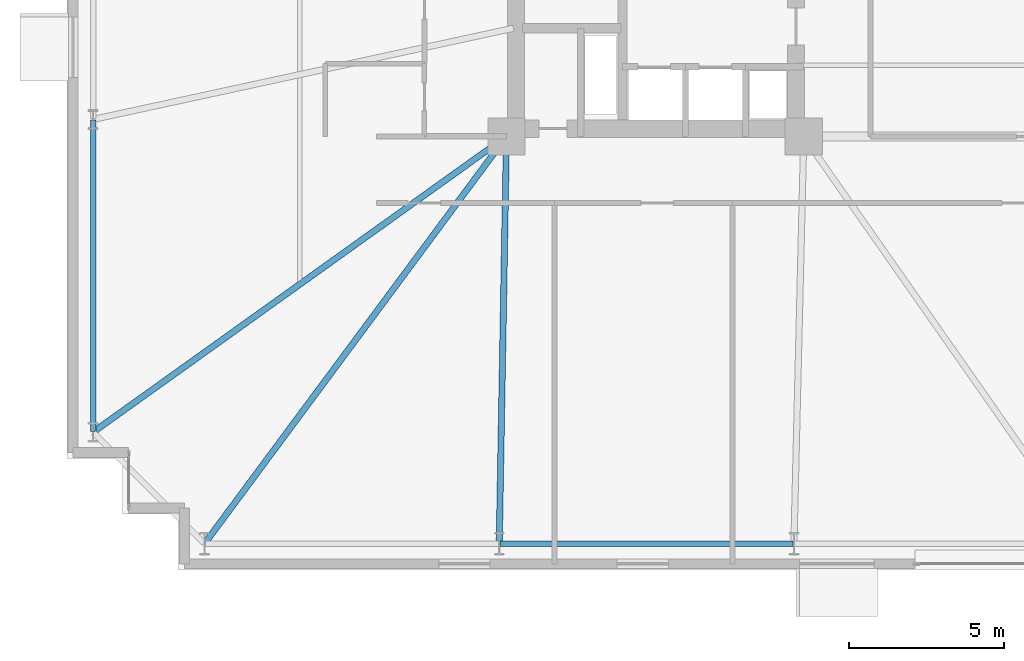
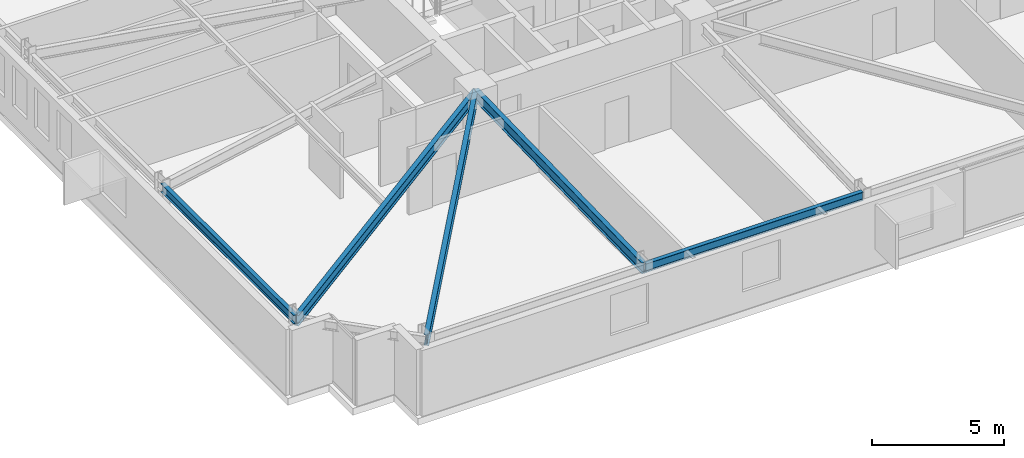
# One storey, part 5 of 24: 5 beams.
"""IFC4 building model written with IfcOpenShell, lengths in metres."""

from ifc_helpers import new_model, si_unit, direction, frame, origin, origin_2d, place, context, subcontext, project, spatial, i_section, extrude, material, material_profile, profile_set, type_object, element, save


model = new_model("IFC4")

# Units and contexts
model_context = context("Model", 3, precision=1e-05, world=origin(), true_north=direction((0.0, 1.0)))
body_context = subcontext(model_context, "Body", "Model", "MODEL_VIEW")
ifc_project = project(units=[si_unit("LENGTHUNIT", "METRE"), si_unit("AREAUNIT", "SQUARE_METRE"), si_unit("VOLUMEUNIT", "CUBIC_METRE"), si_unit("PLANEANGLEUNIT", "RADIAN"), si_unit("MASSUNIT", "GRAM", prefix="KILO")], contexts=[model_context])

# Site, building, storey
site_placement = place(None, origin())
site = spatial("IfcSite", under=ifc_project, at=site_placement, CompositionType="ELEMENT")
building_placement = place(site_placement, origin())
building = spatial("IfcBuilding", under=site, at=building_placement, Name="Qobustan Lattice House", CompositionType="ELEMENT")
storey_placement = place(building_placement, frame((0.0, 0.0, 43.75)))
storey = spatial("IfcBuildingStorey", under=building, at=storey_placement, Name="L11", CompositionType="ELEMENT", Elevation=43.75)

# Beams
ifc_material_1 = material(Name="Steel S355", Category="steel")
ifc_material_profile_1 = material_profile(ifc_material_1, i_section(OverallWidth=0.199951171875, OverallDepth=0.5, WebThickness=0.01025390625, FlangeThickness=0.01611328125, FilletRadius=0.02099609375, at=origin_2d()), Name="IPE500")
ifc_profile_set_1 = profile_set([ifc_material_profile_1], Name="Steel S355")
beam_type_1 = type_object("IfcBeamType", Name="BM-FLG-IPE500", PredefinedType="USERDEFINED", material=ifc_profile_set_1)
beam_1_placement = place(storey_placement, frame((-28.53515625, -18.72998046875, 2.784912109375), z_axis=(0.5955916815, 0.803287338956, 0.0), x_axis=(-0.803287338956, 0.5955916815, 0.0)))
element("IfcBeam", 1, at=beam_1_placement, inside=storey, type_object=beam_type_1, Name="L11 primary floor girder RAD-S1W", ObjectType="GIRDER", PredefinedType="USERDEFINED", context=body_context, shape_type="SweptSolid", body=[
    extrude(i_section(OverallWidth=0.199951171875, OverallDepth=0.5, WebThickness=0.01025390625, FlangeThickness=0.01611328125, FilletRadius=0.02099609375, at=origin_2d()), origin(), (0.0, 0.0, 1.0), 16.3203125),
])
beam_2_placement = place(storey_placement, frame((-19.032958984375, -18.72509765625, 2.784912109375), z_axis=(0.017757831607, 0.999842317276, 0.0), x_axis=(-0.999842317276, 0.017757831607, 0.0)))
element("IfcBeam", 2, at=beam_2_placement, inside=storey, type_object=beam_type_1, Name="L11 primary floor girder RAD-S2", ObjectType="GIRDER", PredefinedType="USERDEFINED", context=body_context, shape_type="SweptSolid", body=[
    extrude(i_section(OverallWidth=0.199951171875, OverallDepth=0.5, WebThickness=0.01025390625, FlangeThickness=0.01611328125, FilletRadius=0.02099609375, at=origin_2d()), origin(), (0.0, 0.0, 1.0), 13.10205078125),
])
beam_3_placement = place(storey_placement, frame((-32.129638671875, -15.135498046875, 2.784912109375), z_axis=(0.813318954893, 0.581818079481, 0.0), x_axis=(-0.581818079481, 0.813318954893, 0.0)))
element("IfcBeam", 3, at=beam_3_placement, inside=storey, type_object=beam_type_1, Name="L11 primary floor girder RAD-W4", ObjectType="GIRDER", PredefinedType="USERDEFINED", context=body_context, shape_type="SweptSolid", body=[
    extrude(i_section(OverallWidth=0.199951171875, OverallDepth=0.5, WebThickness=0.01025390625, FlangeThickness=0.01611328125, FilletRadius=0.02099609375, at=origin_2d()), origin(), (0.0, 0.0, 1.0), 16.3642578125),
])
ifc_material_2 = material(Name="Steel S355", Category="steel")
ifc_material_profile_2 = material_profile(ifc_material_2, i_section(OverallWidth=0.179931640625, OverallDepth=0.39990234375, WebThickness=0.008544921875, FlangeThickness=0.013427734375, FilletRadius=0.02099609375, at=origin_2d()), Name="IPE400")
ifc_profile_set_2 = profile_set([ifc_material_profile_2], Name="Steel S355")
beam_type_2 = type_object("IfcBeamType", Name="BM-SPD-IPE400", PredefinedType="SPANDREL", material=ifc_profile_set_2)
beam_4_placement = place(storey_placement, frame((-19.00830078125, -18.75, 2.8349609375), z_axis=(1.0, 0.0, 0.0), x_axis=(0.0, 1.0, 0.0)))
element("IfcBeam", 4, at=beam_4_placement, inside=storey, type_object=beam_type_2, Name="L11 perimeter spandrel S2-S3", PredefinedType="SPANDREL", context=body_context, shape_type="SweptSolid", body=[
    extrude(i_section(OverallWidth=0.179931640625, OverallDepth=0.39990234375, WebThickness=0.008544921875, FlangeThickness=0.013427734375, FilletRadius=0.02099609375, at=origin_2d()), origin(), (0.0, 0.0, 1.0), 9.466552734375),
])
beam_5_placement = place(storey_placement, frame((-32.14990234375, -5.074951171875, 2.8349609375), z_axis=(0.0, -1.0, 0.0), x_axis=(1.0, 0.0, 0.0)))
element("IfcBeam", 5, at=beam_5_placement, inside=storey, type_object=beam_type_2, Name="L11 perimeter spandrel W3-W4", PredefinedType="SPANDREL", context=body_context, shape_type="SweptSolid", body=[
    extrude(i_section(OverallWidth=0.179931640625, OverallDepth=0.39990234375, WebThickness=0.008544921875, FlangeThickness=0.013427734375, FilletRadius=0.02099609375, at=origin_2d()), origin(), (0.0, 0.0, 1.0), 10.050048828125),
])

save(model, "model.ifc")
